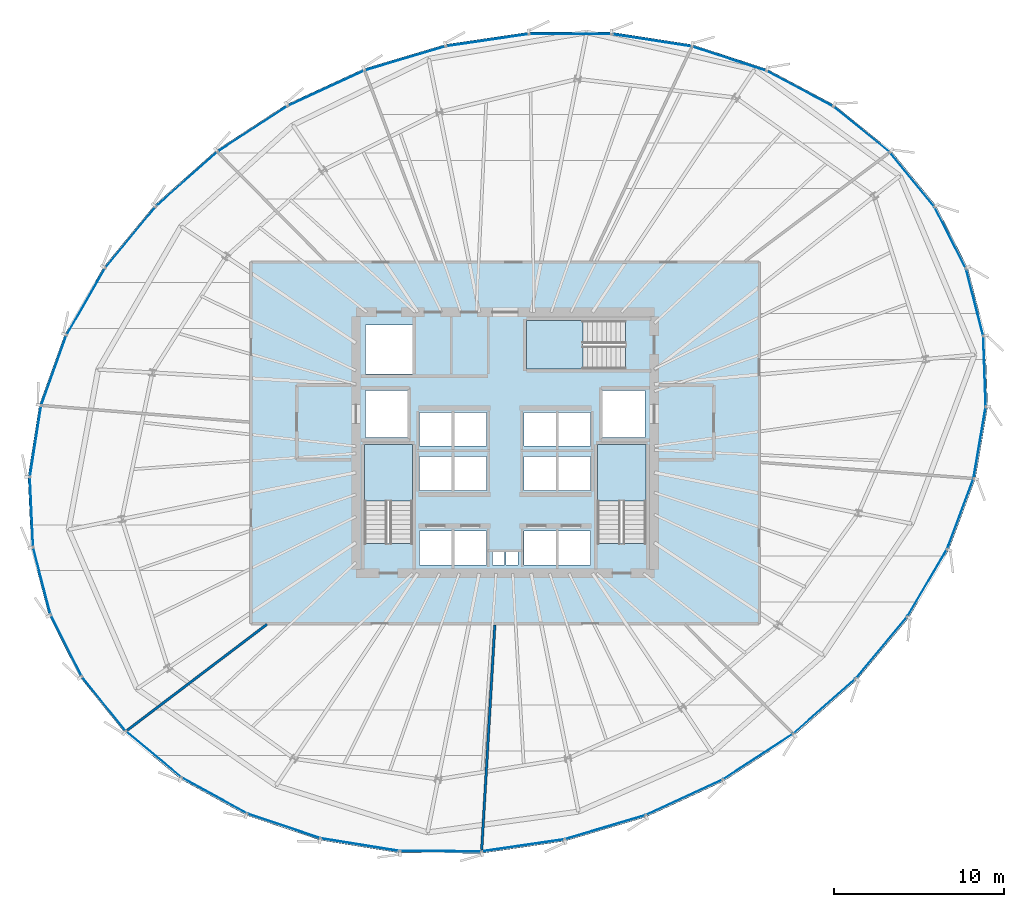
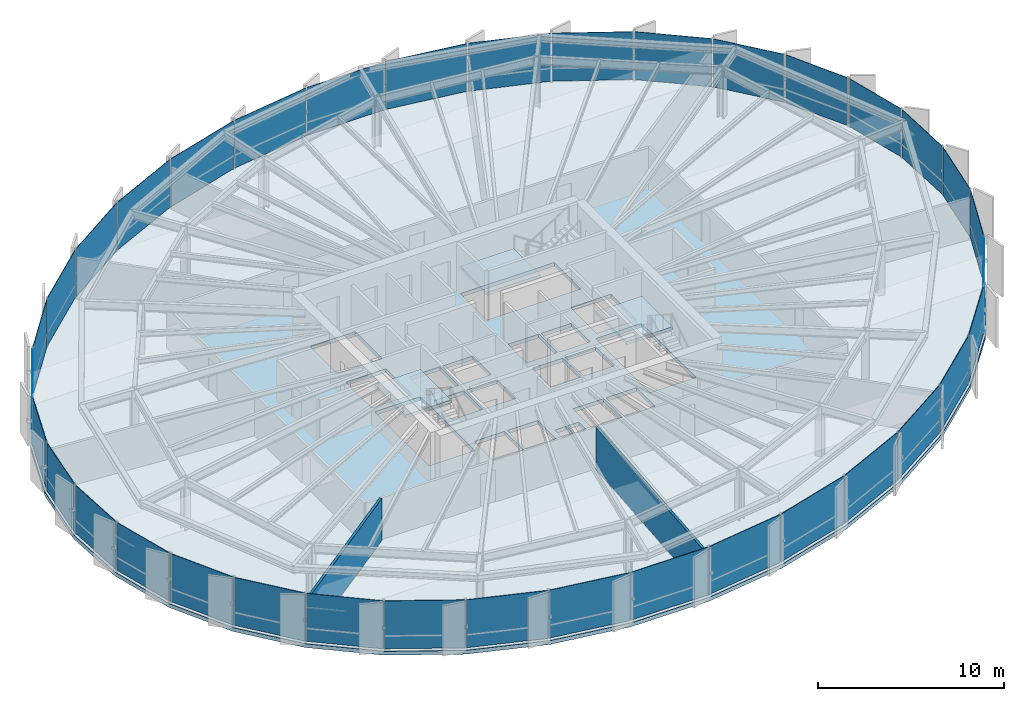
# One storey, part 26 of 33: 36 plates, 4 slabs, 2 walls, 9 elements without a shape of their own.
"""IFC4 building model written with IfcOpenShell, lengths in metres."""

from ifc_helpers import new_model, si_unit, direction, frame, frame_2d, origin, origin_2d, place, context, subcontext, project, spatial, polyline, rectangle, outline, extrude, source, transform, mapped, material, layer, layer_set, type_object, element, aggregate, save


model = new_model("IFC4")

# Units and contexts
model_context = context("Model", 3, precision=1e-05, world=origin(), true_north=direction((0.0, 1.0)))
body_context = subcontext(model_context, "Body", "Model", "MODEL_VIEW")
ifc_project = project(units=[si_unit("LENGTHUNIT", "METRE"), si_unit("AREAUNIT", "SQUARE_METRE"), si_unit("VOLUMEUNIT", "CUBIC_METRE"), si_unit("PLANEANGLEUNIT", "RADIAN"), si_unit("MASSUNIT", "GRAM", prefix="KILO"), si_unit("THERMODYNAMICTEMPERATUREUNIT", "KELVIN")], contexts=[model_context])

# Site, building, storey
site_placement = place(None, origin())
site = spatial("IfcSite", under=ifc_project, at=site_placement, CompositionType="ELEMENT")
building_placement = place(site_placement, origin())
building = spatial("IfcBuilding", under=site, at=building_placement, Name="Kethvar Cultural Tower", CompositionType="ELEMENT")
storey_placement = place(building_placement, frame((0.0, 0.0, 118.0)))
storey = spatial("IfcBuildingStorey", under=building, at=storey_placement, Name="L29", CompositionType="ELEMENT", Elevation=118.0)

# Stair, slab
ifc_material_1 = material(Name="Concrete C40/50", Category="concrete")
stair_type = type_object("IfcStairType", Name="ST-DOGLEG-135", PredefinedType="HALF_TURN_STAIR", material=ifc_material_1)
stair_1_placement = place(storey_placement, origin())
stair_1 = element("IfcStair", 1, at=stair_1_placement, inside=storey, type_object=stair_type, Name="L29 Core Exit Stair 1", PredefinedType="HALF_TURN_STAIR")
ifc_layer_1 = layer(ifc_material_1, 0.199951171875, Name="Concrete C40/50", Category="concrete")
ifc_layer_set_1 = layer_set([ifc_layer_1], Name="Concrete C40/50 (200 mm)")
slab_type_1 = type_object("IfcSlabType", Name="SL-STAIR-LANDING-200", PredefinedType="LANDING", material=ifc_layer_set_1)
slab_1_placement = place(storey_placement, frame((0.0, 0.0, 1.60009765625)))
slab_1 = element("IfcSlab", 2, at=slab_1_placement, type_object=slab_type_1, Name="ST-01 landing 1", PredefinedType="LANDING", context=body_context, shape_type="SweptSolid", body=[
    extrude(outline(polyline([(41.35009765625, 24.3701171875), (41.35009765625, 27.699951171875), (38.489990234375, 27.699951171875), (38.489990234375, 24.3701171875), (41.35009765625, 24.3701171875)])), origin(), (0.0, 0.0, 1.0), 0.199951171875),
])
aggregate(stair_1, [slab_1])

stair_2_placement = place(storey_placement, origin())
stair_2 = element("IfcStair", 3, at=stair_2_placement, inside=storey, type_object=stair_type, Name="L29 Core Exit Stair 2", PredefinedType="HALF_TURN_STAIR")
slab_2_placement = place(storey_placement, frame((0.0, 0.0, 1.60009765625)))
slab_2 = element("IfcSlab", 4, at=slab_2_placement, type_object=slab_type_1, Name="ST-02 landing 1", PredefinedType="LANDING", context=body_context, shape_type="SweptSolid", body=[
    extrude(outline(polyline([(55.110107421875, 24.3701171875), (55.110107421875, 27.699951171875), (52.25, 27.699951171875), (52.25, 24.3701171875), (55.110107421875, 24.3701171875)])), origin(), (0.0, 0.0, 1.0), 0.199951171875),
])
aggregate(stair_2, [slab_2])

stair_3_placement = place(storey_placement, origin())
stair_3 = element("IfcStair", 5, at=stair_3_placement, inside=storey, type_object=stair_type, Name="L29 Core Exit Stair 3", PredefinedType="HALF_TURN_STAIR")
slab_3_placement = place(storey_placement, frame((0.0, 0.0, 1.60009765625)))
slab_3 = element("IfcSlab", 6, at=slab_3_placement, type_object=slab_type_1, Name="ST-03 landing 1", PredefinedType="LANDING", context=body_context, shape_type="SweptSolid", body=[
    extrude(outline(polyline([(51.3798828125, 35.010009765625), (48.050048828125, 35.010009765625), (48.050048828125, 32.14990234375), (51.3798828125, 32.14990234375), (51.3798828125, 35.010009765625)])), origin(), (0.0, 0.0, 1.0), 0.199951171875),
])
aggregate(stair_3, [slab_3])

# Slab
ifc_layer_2 = layer(ifc_material_1, 0.25, Name="Concrete C40/50", Category="concrete")
ifc_layer_set_2 = layer_set([ifc_layer_2], Name="Concrete C40/50 (250 mm)")
slab_type_2 = type_object("IfcSlabType", Name="SL-TOW-250", PredefinedType="FLOOR", material=ifc_layer_set_2)
slab_4_placement = place(storey_placement, frame((0.0, 0.0, -0.25)))
element("IfcSlab", 7, at=slab_4_placement, inside=storey, type_object=slab_type_2, Name="L29 Structural Floor Slab", PredefinedType="FLOOR", context=body_context, shape_type="SweptSolid", body=[
    extrude(outline(polyline([(74.093505859375, 38.11328125), (72.222412109375, 41.785400390625), (69.564208984375, 45.027099609375), (66.20458984375, 47.74169921875), (62.25341796875, 49.849609375), (57.839599609375, 51.2900390625), (53.104248046875, 52.022216796875), (48.19677734375, 52.025390625), (43.26708984375, 51.300537109375), (38.461181640625, 49.86767578125), (33.91357421875, 47.76611328125), (29.75732421875, 45.057861328125), (26.118896484375, 41.8251953125), (23.10888671875, 38.16650390625), (20.818603515625, 34.192626953125), (19.31787109375, 30.024658203125), (18.652099609375, 25.7890625), (18.841796875, 21.614501953125), (19.880859375, 17.628173828125), (21.73779296875, 13.95068359375), (24.356201171875, 10.69384765625), (27.656494140625, 7.95703125), (31.538818359375, 5.822998046875), (35.884521484375, 4.356689453125), (40.56201171875, 3.602783203125), (45.428955078125, 3.583984375), (50.33740234375, 4.30126953125), (55.138671875, 5.732421875), (59.691162109375, 7.835693359375), (63.868408203125, 10.5517578125), (67.54736328125, 13.7998046875), (70.614990234375, 17.48046875), (72.973388671875, 21.47998046875), (74.543212890625, 25.674072265625), (75.26806640625, 29.931884765625), (75.118408203125, 34.12158203125), (74.093505859375, 38.11328125)]), holes=[polyline([(38.489990234375, 21.85009765625), (38.489990234375, 27.699951171875), (41.35009765625, 27.699951171875), (41.35009765625, 21.85009765625), (38.489990234375, 21.85009765625)]), polyline([(52.25, 21.85009765625), (52.25, 27.699951171875), (55.110107421875, 27.699951171875), (55.110107421875, 21.85009765625), (52.25, 21.85009765625)]), polyline([(53.89990234375, 32.14990234375), (48.050048828125, 32.14990234375), (48.050048828125, 35.010009765625), (53.89990234375, 35.010009765625), (53.89990234375, 32.14990234375)]), polyline([(41.75, 22.60009765625), (43.64990234375, 22.60009765625), (43.64990234375, 20.60009765625), (41.75, 20.60009765625), (41.75, 22.60009765625)]), polyline([(43.800048828125, 22.60009765625), (45.699951171875, 22.60009765625), (45.699951171875, 20.60009765625), (43.800048828125, 20.60009765625), (43.800048828125, 22.60009765625)]), polyline([(47.89990234375, 22.60009765625), (49.800048828125, 22.60009765625), (49.800048828125, 20.60009765625), (47.89990234375, 20.60009765625), (47.89990234375, 22.60009765625)]), polyline([(49.949951171875, 22.60009765625), (51.85009765625, 22.60009765625), (51.85009765625, 20.60009765625), (49.949951171875, 20.60009765625), (49.949951171875, 22.60009765625)]), polyline([(41.75, 27.0), (43.64990234375, 27.0), (43.64990234375, 25.0), (41.75, 25.0), (41.75, 27.0)]), polyline([(43.800048828125, 27.0), (45.699951171875, 27.0), (45.699951171875, 25.0), (43.800048828125, 25.0), (43.800048828125, 27.0)]), polyline([(47.89990234375, 27.0), (49.800048828125, 27.0), (49.800048828125, 25.0), (47.89990234375, 25.0), (47.89990234375, 27.0)]), polyline([(49.949951171875, 27.0), (51.85009765625, 27.0), (51.85009765625, 25.0), (49.949951171875, 25.0), (49.949951171875, 27.0)]), polyline([(41.75, 29.60009765625), (43.64990234375, 29.60009765625), (43.64990234375, 27.60009765625), (41.75, 27.60009765625), (41.75, 29.60009765625)]), polyline([(43.800048828125, 29.60009765625), (45.699951171875, 29.60009765625), (45.699951171875, 27.60009765625), (43.800048828125, 27.60009765625), (43.800048828125, 29.60009765625)]), polyline([(47.89990234375, 29.60009765625), (49.800048828125, 29.60009765625), (49.800048828125, 27.60009765625), (47.89990234375, 27.60009765625), (47.89990234375, 29.60009765625)]), polyline([(49.949951171875, 29.60009765625), (51.85009765625, 29.60009765625), (51.85009765625, 27.60009765625), (49.949951171875, 27.60009765625), (49.949951171875, 29.60009765625)]), polyline([(38.550048828125, 30.89990234375), (41.050048828125, 30.89990234375), (41.050048828125, 28.10009765625), (38.550048828125, 28.10009765625), (38.550048828125, 30.89990234375)]), polyline([(52.550048828125, 30.89990234375), (55.050048828125, 30.89990234375), (55.050048828125, 28.10009765625), (52.550048828125, 28.10009765625), (52.550048828125, 30.89990234375)]), polyline([(38.550048828125, 34.75), (41.35009765625, 34.75), (41.35009765625, 31.85009765625), (38.550048828125, 31.85009765625), (38.550048828125, 34.75)]), polyline([(46.050048828125, 21.35009765625), (46.75, 21.35009765625), (46.75, 20.60009765625), (46.050048828125, 20.60009765625), (46.050048828125, 21.35009765625)]), polyline([(46.85009765625, 21.35009765625), (47.550048828125, 21.35009765625), (47.550048828125, 20.60009765625), (46.85009765625, 20.60009765625), (46.85009765625, 21.35009765625)])]), origin(), (0.0, 0.0, 1.0), 0.25),
])

# Curtain wall, plate
ifc_material_2 = material(Name="Aluminium 6063-T6", Category="aluminium")
ifc_layer_3 = layer(ifc_material_2, 0.179931640625, Name="Aluminium 6063-T6", Category="aluminium")
ifc_layer_set_3 = layer_set([ifc_layer_3], Name="Aluminium 6063-T6 (180 mm)")
curtain_wall_type = type_object("IfcCurtainWallType", Name="CW-SYS-03-Z2", PredefinedType="NOTDEFINED", material=ifc_layer_set_3)
curtain_wall_1_placement = place(storey_placement, origin())
curtain_wall_1 = element("IfcCurtainWall", 8, at=curtain_wall_1_placement, inside=storey, type_object=curtain_wall_type, Name="L29 Curtain Wall Run 03", PredefinedType="NOTDEFINED")
ifc_material_3 = material(Name="Insulated Low-E Solar Glass", Category="glass")
ifc_layer_4 = layer(ifc_material_3, 0.031982421875, Name="Insulated Low-E Solar Glass", Category="glass")
ifc_layer_set_4 = layer_set([ifc_layer_4], Name="Insulated Low-E Solar Glass (32 mm)")
plate_type = type_object("IfcPlateType", Name="CW-SYS-03-Z2-PNL", PredefinedType="CURTAIN_PANEL", material=ifc_layer_set_4)
shared_shape_1 = source(origin(), body_context, "Body", "SweptSolid", [
    extrude(rectangle(XDim=4.5, YDim=0.031982421875, at=origin_2d()), origin(), (0.0, 0.0, 1.0), 3.14990234375),
])
plate_1_placement = place(storey_placement, frame((22.0634765625, 36.1220703125, 0.10009765625), z_axis=(0.0, 0.0, 1.0), x_axis=(-0.499349914479, -0.866400405649, 0.0)))
plate_1 = element("IfcPlate", 9, at=plate_1_placement, type_object=plate_type, Name="CW-L29-R03 Vision Glazing Panel 2", PredefinedType="CURTAIN_PANEL", context=body_context, shape_type="MappedRepresentation", body=[
    mapped(shared_shape_1, transform((0.0, 0.0, 0.0), scale=1.0)),
])

curtain_wall_2_placement = place(storey_placement, origin())
curtain_wall_2 = element("IfcCurtainWall", 10, at=curtain_wall_2_placement, inside=storey, type_object=curtain_wall_type, Name="L29 Curtain Wall Run 04", PredefinedType="NOTDEFINED")
plate_2_placement = place(storey_placement, frame((33.748291015625, 5.198974609375, 0.10009765625), z_axis=(0.0, 0.0, 1.0), x_axis=(0.9475231874, -0.319687049064, 0.0)))
plate_2 = element("IfcPlate", 11, at=plate_2_placement, type_object=plate_type, Name="CW-L29-R04 Vision Glazing Panel 5", PredefinedType="CURTAIN_PANEL", context=body_context, shape_type="MappedRepresentation", body=[
    mapped(shared_shape_1, transform((0.0, 0.0, 0.0), scale=1.0)),
])

curtain_wall_3_placement = place(storey_placement, origin())
curtain_wall_3 = element("IfcCurtainWall", 12, at=curtain_wall_3_placement, inside=storey, type_object=curtain_wall_type, Name="L29 Curtain Wall Run 02", PredefinedType="NOTDEFINED")
shared_shape_2 = source(origin(), body_context, "Body", "SweptSolid", [
    extrude(rectangle(XDim=4.923583984375, YDim=0.031982421875, at=origin_2d()), origin(), (0.0, 0.0, 1.0), 3.14990234375),
])
plate_3_placement = place(storey_placement, frame((36.235595703125, 48.71240234375, 0.10009765625), z_axis=(0.0, 0.0, 1.0), x_axis=(-0.90776283634, -0.419483769602, 0.0)))
plate_3 = element("IfcPlate", 13, at=plate_3_placement, type_object=plate_type, Name="CW-L29-R02 Vision Glazing Panel 4", PredefinedType="CURTAIN_PANEL", context=body_context, shape_type="MappedRepresentation", body=[
    mapped(shared_shape_2, transform((0.0, 0.0, 0.0), scale=1.0)),
])

curtain_wall_4_placement = place(storey_placement, origin())
curtain_wall_4 = element("IfcCurtainWall", 14, at=curtain_wall_4_placement, inside=storey, type_object=curtain_wall_type, Name="L29 Curtain Wall Run 05", PredefinedType="NOTDEFINED")
plate_4_placement = place(storey_placement, frame((52.705322265625, 5.126953125, 0.10009765625), z_axis=(0.0, 0.0, 1.0), x_axis=(0.958332546287, 0.285654915462, 0.0)))
plate_4 = element("IfcPlate", 15, at=plate_4_placement, type_object=plate_type, Name="CW-L29-R05 Vision Glazing Panel 3", PredefinedType="CURTAIN_PANEL", context=body_context, shape_type="MappedRepresentation", body=[
    mapped(shared_shape_2, transform((0.0, 0.0, 0.0), scale=1.0)),
])

curtain_wall_5_placement = place(storey_placement, origin())
curtain_wall_5 = element("IfcCurtainWall", 16, at=curtain_wall_5_placement, inside=storey, type_object=curtain_wall_type, Name="L29 Curtain Wall Run 01", PredefinedType="NOTDEFINED")
shared_shape_3 = source(origin(), body_context, "Body", "SweptSolid", [
    extrude(rectangle(XDim=4.034912109375, YDim=0.031982421875, at=origin_2d()), origin(), (0.0, 0.0, 1.0), 3.14990234375),
])
plate_5_placement = place(storey_placement, frame((73.055419921875, 39.897216796875, 0.10009765625), z_axis=(0.0, 0.0, 1.0), x_axis=(-0.453974948673, 0.891014447682, 0.0)))
plate_5 = element("IfcPlate", 17, at=plate_5_placement, type_object=plate_type, Name="CW-L29-R01 Vision Glazing Panel 1", PredefinedType="CURTAIN_PANEL", context=body_context, shape_type="MappedRepresentation", body=[
    mapped(shared_shape_3, transform((0.0, 0.0, 0.0), scale=1.0)),
])

curtain_wall_6_placement = place(storey_placement, origin())
curtain_wall_6 = element("IfcCurtainWall", 18, at=curtain_wall_6_placement, inside=storey, type_object=curtain_wall_type, Name="L29 Curtain Wall Run 06", PredefinedType="NOTDEFINED")
plate_6_placement = place(storey_placement, frame((74.49462890625, 36.0888671875, 0.10009765625), z_axis=(0.0, 0.0, 1.0), x_axis=(-0.248706792092, 0.968578820524, 0.0)))
plate_6 = element("IfcPlate", 19, at=plate_6_placement, type_object=plate_type, Name="CW-L29-R06 Vision Glazing Panel 6", PredefinedType="CURTAIN_PANEL", context=body_context, shape_type="MappedRepresentation", body=[
    mapped(shared_shape_3, transform((0.0, 0.0, 0.0), scale=1.0)),
])

# Plate
shared_shape_4 = source(origin(), body_context, "Body", "SweptSolid", [
    extrude(rectangle(XDim=4.105712890625, YDim=0.031982421875, at=origin_2d()), origin(), (0.0, 0.0, 1.0), 3.14990234375),
])
plate_7_placement = place(storey_placement, frame((70.80419921875, 43.33349609375, 0.10009765625), z_axis=(0.0, 0.0, 1.0), x_axis=(-0.63410991843, 0.773242918719, 0.0)))
plate_7 = element("IfcPlate", 20, at=plate_7_placement, type_object=plate_type, Name="CW-L29-R01 Vision Glazing Panel 2", PredefinedType="CURTAIN_PANEL", context=body_context, shape_type="MappedRepresentation", body=[
    mapped(shared_shape_4, transform((0.0, 0.0, 0.0), scale=1.0)),
])

plate_8_placement = place(storey_placement, frame((75.078369140625, 32.022705078125, 0.10009765625), z_axis=(0.0, 0.0, 1.0), x_axis=(-0.035701847749, 0.999362485821, 0.0)))
plate_8 = element("IfcPlate", 21, at=plate_8_placement, type_object=plate_type, Name="CW-L29-R06 Vision Glazing Panel 5", PredefinedType="CURTAIN_PANEL", context=body_context, shape_type="MappedRepresentation", body=[
    mapped(shared_shape_4, transform((0.0, 0.0, 0.0), scale=1.0)),
])

shared_shape_5 = source(origin(), body_context, "Body", "SweptSolid", [
    extrude(rectangle(XDim=4.23291015625, YDim=0.031982421875, at=origin_2d()), origin(), (0.0, 0.0, 1.0), 3.14990234375),
])
plate_9_placement = place(storey_placement, frame((67.81201171875, 46.294921875, 0.10009765625), z_axis=(0.0, 0.0, 1.0), x_axis=(-0.777815527375, 0.628492645441, 0.0)))
plate_9 = element("IfcPlate", 22, at=plate_9_placement, type_object=plate_type, Name="CW-L29-R01 Vision Glazing Panel 3", PredefinedType="CURTAIN_PANEL", context=body_context, shape_type="MappedRepresentation", body=[
    mapped(shared_shape_5, transform((0.0, 0.0, 0.0), scale=1.0)),
])

shared_shape_6 = source(origin(), body_context, "Body", "SweptSolid", [
    extrude(rectangle(XDim=4.3916015625, YDim=0.031982421875, at=origin_2d()), origin(), (0.0, 0.0, 1.0), 3.14990234375),
])
plate_10_placement = place(storey_placement, frame((64.1748046875, 48.694091796875, 0.10009765625), z_axis=(0.0, 0.0, 1.0), x_axis=(-0.882291226435, 0.470703932165, 0.0)))
plate_10 = element("IfcPlate", 23, at=plate_10_placement, type_object=plate_type, Name="CW-L29-R01 Vision Glazing Panel 4", PredefinedType="CURTAIN_PANEL", context=body_context, shape_type="MappedRepresentation", body=[
    mapped(shared_shape_6, transform((0.0, 0.0, 0.0), scale=1.0)),
])

shared_shape_7 = source(origin(), body_context, "Body", "SweptSolid", [
    extrude(rectangle(XDim=4.556640625, YDim=0.031982421875, at=origin_2d()), origin(), (0.0, 0.0, 1.0), 3.14990234375),
])
plate_11_placement = place(storey_placement, frame((60.010986328125, 50.46044921875, 0.10009765625), z_axis=(0.0, 0.0, 1.0), x_axis=(-0.950656614249, 0.310245067301, 0.0)))
plate_11 = element("IfcPlate", 24, at=plate_11_placement, type_object=plate_type, Name="CW-L29-R01 Vision Glazing Panel 5", PredefinedType="CURTAIN_PANEL", context=body_context, shape_type="MappedRepresentation", body=[
    mapped(shared_shape_7, transform((0.0, 0.0, 0.0), scale=1.0)),
])

plate_12_placement = place(storey_placement, frame((71.6953125, 19.53857421875, 0.10009765625), z_axis=(0.0, 0.0, 1.0), x_axis=(0.507944339768, 0.861389892962, 0.0)))
plate_12 = element("IfcPlate", 25, at=plate_12_placement, type_object=plate_type, Name="CW-L29-R06 Vision Glazing Panel 2", PredefinedType="CURTAIN_PANEL", context=body_context, shape_type="MappedRepresentation", body=[
    mapped(shared_shape_7, transform((0.0, 0.0, 0.0), scale=1.0)),
])

shared_shape_8 = source(origin(), body_context, "Body", "SweptSolid", [
    extrude(rectangle(XDim=4.705078125, YDim=0.031982421875, at=origin_2d()), origin(), (0.0, 0.0, 1.0), 3.14990234375),
])
plate_13_placement = place(storey_placement, frame((55.454345703125, 51.54248046875, 0.10009765625), z_axis=(0.0, 0.0, 1.0), x_axis=(-0.988263067394, 0.152761610441, 0.0)))
plate_13 = element("IfcPlate", 26, at=plate_13_placement, type_object=plate_type, Name="CW-L29-R01 Vision Glazing Panel 6", PredefinedType="CURTAIN_PANEL", context=body_context, shape_type="MappedRepresentation", body=[
    mapped(shared_shape_8, transform((0.0, 0.0, 0.0), scale=1.0)),
])

aggregate(curtain_wall_5, [plate_5, plate_7, plate_9, plate_10, plate_11, plate_13])

plate_14_placement = place(storey_placement, frame((68.992919921875, 15.713623046875, 0.10009765625), z_axis=(0.0, 0.0, 1.0), x_axis=(0.640257187535, 0.768160617195, 0.0)))
plate_14 = element("IfcPlate", 27, at=plate_14_placement, type_object=plate_type, Name="CW-L29-R06 Vision Glazing Panel 1", PredefinedType="CURTAIN_PANEL", context=body_context, shape_type="MappedRepresentation", body=[
    mapped(shared_shape_8, transform((0.0, 0.0, 0.0), scale=1.0)),
])

shared_shape_9 = source(origin(), body_context, "Body", "SweptSolid", [
    extrude(rectangle(XDim=4.821044921875, YDim=0.031982421875, at=origin_2d()), origin(), (0.0, 0.0, 1.0), 3.14990234375),
])
plate_15_placement = place(storey_placement, frame((50.650390625, 51.90869140625, 0.10009765625), z_axis=(0.0, 0.0, 1.0), x_axis=(-0.999999756306, 0.000698131644, 0.0)))
plate_15 = element("IfcPlate", 28, at=plate_15_placement, type_object=plate_type, Name="CW-L29-R02 Vision Glazing Panel 1", PredefinedType="CURTAIN_PANEL", context=body_context, shape_type="MappedRepresentation", body=[
    mapped(shared_shape_9, transform((0.0, 0.0, 0.0), scale=1.0)),
])

shared_shape_10 = source(origin(), body_context, "Body", "SweptSolid", [
    extrude(rectangle(XDim=4.89599609375, YDim=0.031982421875, at=origin_2d()), origin(), (0.0, 0.0, 1.0), 3.14990234375),
])
plate_16_placement = place(storey_placement, frame((45.748779296875, 51.54931640625, 0.10009765625), z_axis=(0.0, 0.0, 1.0), x_axis=(-0.989358846192, -0.145495956856, 0.0)))
plate_16 = element("IfcPlate", 29, at=plate_16_placement, type_object=plate_type, Name="CW-L29-R02 Vision Glazing Panel 2", PredefinedType="CURTAIN_PANEL", context=body_context, shape_type="MappedRepresentation", body=[
    mapped(shared_shape_10, transform((0.0, 0.0, 0.0), scale=1.0)),
])

plate_17_placement = place(storey_placement, frame((61.717041015625, 9.290283203125, 0.10009765625), z_axis=(0.0, 0.0, 1.0), x_axis=(0.838356739292, 0.545121984223, 0.0)))
plate_17 = element("IfcPlate", 30, at=plate_17_placement, type_object=plate_type, Name="CW-L29-R05 Vision Glazing Panel 5", PredefinedType="CURTAIN_PANEL", context=body_context, shape_type="MappedRepresentation", body=[
    mapped(shared_shape_10, transform((0.0, 0.0, 0.0), scale=1.0)),
])

shared_shape_11 = source(origin(), body_context, "Body", "SweptSolid", [
    extrude(rectangle(XDim=4.9287109375, YDim=0.031982421875, at=origin_2d()), origin(), (0.0, 0.0, 1.0), 3.14990234375),
])
plate_18_placement = place(storey_placement, frame((40.897216796875, 50.47412109375, 0.10009765625), z_axis=(0.0, 0.0, 1.0), x_axis=(-0.958312601476, -0.285721818999, 0.0)))
plate_18 = element("IfcPlate", 31, at=plate_18_placement, type_object=plate_type, Name="CW-L29-R02 Vision Glazing Panel 3", PredefinedType="CURTAIN_PANEL", context=body_context, shape_type="MappedRepresentation", body=[
    mapped(shared_shape_11, transform((0.0, 0.0, 0.0), scale=1.0)),
])

shared_shape_12 = source(origin(), body_context, "Body", "SweptSolid", [
    extrude(rectangle(XDim=4.87451171875, YDim=0.031982421875, at=origin_2d()), origin(), (0.0, 0.0, 1.0), 3.14990234375),
])
plate_19_placement = place(storey_placement, frame((31.898193359375, 46.315673828125, 0.10009765625), z_axis=(0.0, 0.0, 1.0), x_axis=(-0.837823545231, -0.545941120503, 0.0)))
plate_19 = element("IfcPlate", 32, at=plate_19_placement, type_object=plate_type, Name="CW-L29-R02 Vision Glazing Panel 5", PredefinedType="CURTAIN_PANEL", context=body_context, shape_type="MappedRepresentation", body=[
    mapped(shared_shape_12, transform((0.0, 0.0, 0.0), scale=1.0)),
])

shared_shape_13 = source(origin(), body_context, "Body", "SweptSolid", [
    extrude(rectangle(XDim=4.780517578125, YDim=0.031982421875, at=origin_2d()), origin(), (0.0, 0.0, 1.0), 3.14990234375),
])
plate_20_placement = place(storey_placement, frame((28.014404296875, 43.35546875, 0.10009765625), z_axis=(0.0, 0.0, 1.0), x_axis=(-0.747566290977, -0.664187202975, 0.0)))
plate_20 = element("IfcPlate", 33, at=plate_20_placement, type_object=plate_type, Name="CW-L29-R02 Vision Glazing Panel 6", PredefinedType="CURTAIN_PANEL", context=body_context, shape_type="MappedRepresentation", body=[
    mapped(shared_shape_13, transform((0.0, 0.0, 0.0), scale=1.0)),
])

aggregate(curtain_wall_3, [plate_15, plate_16, plate_18, plate_3, plate_19, plate_20])

plate_21_placement = place(storey_placement, frame((42.995849609375, 3.70849609375, 0.10009765625), z_axis=(0.0, 0.0, 1.0), x_axis=(0.9999925611, -0.003857168083, 0.0)))
plate_21 = element("IfcPlate", 34, at=plate_21_placement, type_object=plate_type, Name="CW-L29-R05 Vision Glazing Panel 1", PredefinedType="CURTAIN_PANEL", context=body_context, shape_type="MappedRepresentation", body=[
    mapped(shared_shape_13, transform((0.0, 0.0, 0.0), scale=1.0)),
])

shared_shape_14 = source(origin(), body_context, "Body", "SweptSolid", [
    extrude(rectangle(XDim=4.6513671875, YDim=0.031982421875, at=origin_2d()), origin(), (0.0, 0.0, 1.0), 3.14990234375),
])
plate_22_placement = place(storey_placement, frame((24.702880859375, 39.9228515625, 0.10009765625), z_axis=(0.0, 0.0, 1.0), x_axis=(-0.635310264435, -0.772256996021, 0.0)))
plate_22 = element("IfcPlate", 35, at=plate_22_placement, type_object=plate_type, Name="CW-L29-R03 Vision Glazing Panel 1", PredefinedType="CURTAIN_PANEL", context=body_context, shape_type="MappedRepresentation", body=[
    mapped(shared_shape_14, transform((0.0, 0.0, 0.0), scale=1.0)),
])

plate_23_placement = place(storey_placement, frame((38.241455078125, 4.093505859375, 0.10009765625), z_axis=(0.0, 0.0, 1.0), x_axis=(0.987258753922, -0.159123074391, 0.0)))
plate_23 = element("IfcPlate", 36, at=plate_23_placement, type_object=plate_type, Name="CW-L29-R04 Vision Glazing Panel 6", PredefinedType="CURTAIN_PANEL", context=body_context, shape_type="MappedRepresentation", body=[
    mapped(shared_shape_14, transform((0.0, 0.0, 0.0), scale=1.0)),
])

shared_shape_15 = source(origin(), body_context, "Body", "SweptSolid", [
    extrude(rectangle(XDim=4.343505859375, YDim=0.031982421875, at=origin_2d()), origin(), (0.0, 0.0, 1.0), 3.14990234375),
])
plate_24_placement = place(storey_placement, frame((20.176513671875, 32.069580078125, 0.10009765625), z_axis=(0.0, 0.0, 1.0), x_axis=(-0.338787184183, -0.940863031388, 0.0)))
plate_24 = element("IfcPlate", 37, at=plate_24_placement, type_object=plate_type, Name="CW-L29-R03 Vision Glazing Panel 3", PredefinedType="CURTAIN_PANEL", context=body_context, shape_type="MappedRepresentation", body=[
    mapped(shared_shape_15, transform((0.0, 0.0, 0.0), scale=1.0)),
])

plate_25_placement = place(storey_placement, frame((29.653076171875, 6.99072265625, 0.10009765625), z_axis=(0.0, 0.0, 1.0), x_axis=(0.876323495886, -0.481723084935, 0.0)))
plate_25 = element("IfcPlate", 38, at=plate_25_placement, type_object=plate_type, Name="CW-L29-R04 Vision Glazing Panel 4", PredefinedType="CURTAIN_PANEL", context=body_context, shape_type="MappedRepresentation", body=[
    mapped(shared_shape_15, transform((0.0, 0.0, 0.0), scale=1.0)),
])

shared_shape_16 = source(origin(), body_context, "Body", "SweptSolid", [
    extrude(rectangle(XDim=4.201171875, YDim=0.031982421875, at=origin_2d()), origin(), (0.0, 0.0, 1.0), 3.14990234375),
])
plate_26_placement = place(storey_placement, frame((19.0986328125, 27.88916015625, 0.10009765625), z_axis=(0.0, 0.0, 1.0), x_axis=(-0.155262143023, -0.987873305108, 0.0)))
plate_26 = element("IfcPlate", 39, at=plate_26_placement, type_object=plate_type, Name="CW-L29-R03 Vision Glazing Panel 4", PredefinedType="CURTAIN_PANEL", context=body_context, shape_type="MappedRepresentation", body=[
    mapped(shared_shape_16, transform((0.0, 0.0, 0.0), scale=1.0)),
])

plate_27_placement = place(storey_placement, frame((26.079833984375, 9.413818359375, 0.10009765625), z_axis=(0.0, 0.0, 1.0), x_axis=(0.76975619028, -0.638338004137, 0.0)))
plate_27 = element("IfcPlate", 40, at=plate_27_placement, type_object=plate_type, Name="CW-L29-R04 Vision Glazing Panel 3", PredefinedType="CURTAIN_PANEL", context=body_context, shape_type="MappedRepresentation", body=[
    mapped(shared_shape_16, transform((0.0, 0.0, 0.0), scale=1.0)),
])

shared_shape_17 = source(origin(), body_context, "Body", "SweptSolid", [
    extrude(rectangle(XDim=4.09228515625, YDim=0.031982421875, at=origin_2d()), origin(), (0.0, 0.0, 1.0), 3.14990234375),
])
plate_28_placement = place(storey_placement, frame((18.86181640625, 23.70703125, 0.10009765625), z_axis=(0.0, 0.0, 1.0), x_axis=(0.045345552797, -0.998971361372, 0.0)))
plate_28 = element("IfcPlate", 41, at=plate_28_placement, type_object=plate_type, Name="CW-L29-R03 Vision Glazing Panel 5", PredefinedType="CURTAIN_PANEL", context=body_context, shape_type="MappedRepresentation", body=[
    mapped(shared_shape_17, transform((0.0, 0.0, 0.0), scale=1.0)),
])

shared_shape_18 = source(origin(), body_context, "Body", "SweptSolid", [
    extrude(rectangle(XDim=4.033203125, YDim=0.031982421875, at=origin_2d()), origin(), (0.0, 0.0, 1.0), 3.14990234375),
])
plate_29_placement = place(storey_placement, frame((19.472412109375, 19.650390625, 0.10009765625), z_axis=(0.0, 0.0, 1.0), x_axis=(0.252221362534, -0.967669563581, 0.0)))
plate_29 = element("IfcPlate", 42, at=plate_29_placement, type_object=plate_type, Name="CW-L29-R03 Vision Glazing Panel 6", PredefinedType="CURTAIN_PANEL", context=body_context, shape_type="MappedRepresentation", body=[
    mapped(shared_shape_18, transform((0.0, 0.0, 0.0), scale=1.0)),
])

aggregate(curtain_wall_1, [plate_22, plate_1, plate_24, plate_26, plate_28, plate_29])

shared_shape_19 = source(origin(), body_context, "Body", "SweptSolid", [
    extrude(rectangle(XDim=4.033447265625, YDim=0.031982421875, at=origin_2d()), origin(), (0.0, 0.0, 1.0), 3.14990234375),
])
plate_30_placement = place(storey_placement, frame((20.911865234375, 15.84130859375, 0.10009765625), z_axis=(0.0, 0.0, 1.0), x_axis=(0.450737328075, -0.892656631118, 0.0)))
plate_30 = element("IfcPlate", 43, at=plate_30_placement, type_object=plate_type, Name="CW-L29-R04 Vision Glazing Panel 1", PredefinedType="CURTAIN_PANEL", context=body_context, shape_type="MappedRepresentation", body=[
    mapped(shared_shape_19, transform((0.0, 0.0, 0.0), scale=1.0)),
])

shared_shape_20 = source(origin(), body_context, "Body", "SweptSolid", [
    extrude(rectangle(XDim=4.092529296875, YDim=0.031982421875, at=origin_2d()), origin(), (0.0, 0.0, 1.0), 3.14990234375),
])
plate_31_placement = place(storey_placement, frame((23.13671875, 12.394287109375, 0.10009765625), z_axis=(0.0, 0.0, 1.0), x_axis=(0.626603811364, -0.779337964931, 0.0)))
plate_31 = element("IfcPlate", 44, at=plate_31_placement, type_object=plate_type, Name="CW-L29-R04 Vision Glazing Panel 2", PredefinedType="CURTAIN_PANEL", context=body_context, shape_type="MappedRepresentation", body=[
    mapped(shared_shape_20, transform((0.0, 0.0, 0.0), scale=1.0)),
])

aggregate(curtain_wall_2, [plate_30, plate_31, plate_27, plate_25, plate_2, plate_23])

shared_shape_21 = source(origin(), body_context, "Body", "SweptSolid", [
    extrude(rectangle(XDim=4.874267578125, YDim=0.031982421875, at=origin_2d()), origin(), (0.0, 0.0, 1.0), 3.14990234375),
])
plate_32_placement = place(storey_placement, frame((47.86669921875, 4.056396484375, 0.10009765625), z_axis=(0.0, 0.0, 1.0), x_axis=(0.989495533474, 0.14456344363, 0.0)))
plate_32 = element("IfcPlate", 45, at=plate_32_placement, type_object=plate_type, Name="CW-L29-R05 Vision Glazing Panel 2", PredefinedType="CURTAIN_PANEL", context=body_context, shape_type="MappedRepresentation", body=[
    mapped(shared_shape_21, transform((0.0, 0.0, 0.0), scale=1.0)),
])

shared_shape_22 = source(origin(), body_context, "Body", "SweptSolid", [
    extrude(rectangle(XDim=4.928466796875, YDim=0.031982421875, at=origin_2d()), origin(), (0.0, 0.0, 1.0), 3.14990234375),
])
plate_33_placement = place(storey_placement, frame((57.36669921875, 6.888427734375, 0.10009765625), z_axis=(0.0, 0.0, 1.0), x_axis=(0.90779211962, 0.419420394779, 0.0)))
plate_33 = element("IfcPlate", 46, at=plate_33_placement, type_object=plate_type, Name="CW-L29-R05 Vision Glazing Panel 4", PredefinedType="CURTAIN_PANEL", context=body_context, shape_type="MappedRepresentation", body=[
    mapped(shared_shape_22, transform((0.0, 0.0, 0.0), scale=1.0)),
])

shared_shape_23 = source(origin(), body_context, "Body", "SweptSolid", [
    extrude(rectangle(XDim=4.8212890625, YDim=0.031982421875, at=origin_2d()), origin(), (0.0, 0.0, 1.0), 3.14990234375),
])
plate_34_placement = place(storey_placement, frame((65.631591796875, 12.261962890625, 0.10009765625), z_axis=(0.0, 0.0, 1.0), x_axis=(0.749649204093, 0.66183538044, 0.0)))
plate_34 = element("IfcPlate", 47, at=plate_34_placement, type_object=plate_type, Name="CW-L29-R05 Vision Glazing Panel 6", PredefinedType="CURTAIN_PANEL", context=body_context, shape_type="MappedRepresentation", body=[
    mapped(shared_shape_23, transform((0.0, 0.0, 0.0), scale=1.0)),
])

aggregate(curtain_wall_4, [plate_21, plate_32, plate_4, plate_33, plate_17, plate_34])

shared_shape_24 = source(origin(), body_context, "Body", "SweptSolid", [
    extrude(rectangle(XDim=4.391845703125, YDim=0.031982421875, at=origin_2d()), origin(), (0.0, 0.0, 1.0), 3.14990234375),
])
plate_35_placement = place(storey_placement, frame((73.650634765625, 23.6171875, 0.10009765625), z_axis=(0.0, 0.0, 1.0), x_axis=(0.350517974259, 0.936556004584, 0.0)))
plate_35 = element("IfcPlate", 48, at=plate_35_placement, type_object=plate_type, Name="CW-L29-R06 Vision Glazing Panel 3", PredefinedType="CURTAIN_PANEL", context=body_context, shape_type="MappedRepresentation", body=[
    mapped(shared_shape_24, transform((0.0, 0.0, 0.0), scale=1.0)),
])

shared_shape_25 = source(origin(), body_context, "Body", "SweptSolid", [
    extrude(rectangle(XDim=4.232666015625, YDim=0.031982421875, at=origin_2d()), origin(), (0.0, 0.0, 1.0), 3.14990234375),
])
plate_36_placement = place(storey_placement, frame((74.792236328125, 27.822265625, 0.10009765625), z_axis=(0.0, 0.0, 1.0), x_axis=(0.167835599259, 0.985814998679, 0.0)))
plate_36 = element("IfcPlate", 49, at=plate_36_placement, type_object=plate_type, Name="CW-L29-R06 Vision Glazing Panel 4", PredefinedType="CURTAIN_PANEL", context=body_context, shape_type="MappedRepresentation", body=[
    mapped(shared_shape_25, transform((0.0, 0.0, 0.0), scale=1.0)),
])

aggregate(curtain_wall_6, [plate_14, plate_12, plate_35, plate_36, plate_8, plate_6])

# Walls
ifc_material_4 = material(Name="Gypsum Acoustic Partition")
ifc_layer_5 = layer(ifc_material_4, 0.14990234375, Name="Gypsum Acoustic Partition")
ifc_layer_set_5 = layer_set([ifc_layer_5], Name="Gypsum Acoustic Partition (150 mm)")
wall_type = type_object("IfcWallType", Name="WL-PART-150", PredefinedType="PARTITIONING", material=ifc_layer_set_5)
wall_1_placement = place(storey_placement, frame((32.75, 17.091796875, 0.0), z_axis=(0.0, 0.0, 1.0), x_axis=(-0.7968202688, -0.604216400993, 0.0)))
element("IfcWall", 50, at=wall_1_placement, inside=storey, type_object=wall_type, Name="L29 Radial Partition Wall 01", PredefinedType="PARTITIONING", context=body_context, shape_type="SweptSolid", body=[
    extrude(rectangle(XDim=10.337158203125, YDim=0.14990234375, at=frame_2d((5.16845703125, 0.0))), origin(), (0.0, 0.0, 1.0), 2.77490234375),
])
wall_2_placement = place(storey_placement, frame((46.19189453125, 17.06005859375, 0.0), z_axis=(0.0, 0.0, 1.0), x_axis=(-0.058241361623, -0.998302531198, 0.0)))
element("IfcWall", 51, at=wall_2_placement, inside=storey, type_object=wall_type, Name="L29 Radial Partition Wall 02", PredefinedType="PARTITIONING", context=body_context, shape_type="SweptSolid", body=[
    extrude(rectangle(XDim=13.27978515625, YDim=0.14990234375, at=frame_2d((6.639892578125, 0.0))), origin(), (0.0, 0.0, 1.0), 2.77490234375),
])

save(model, "model.ifc")
